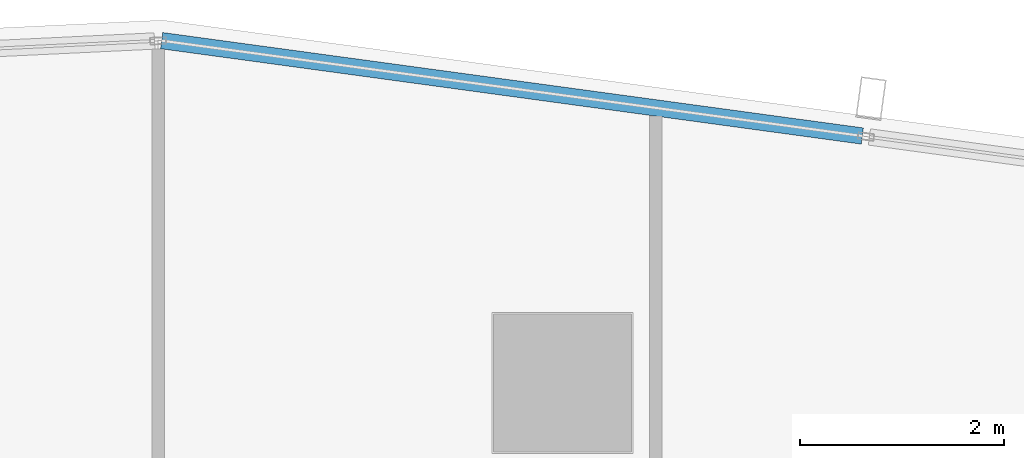
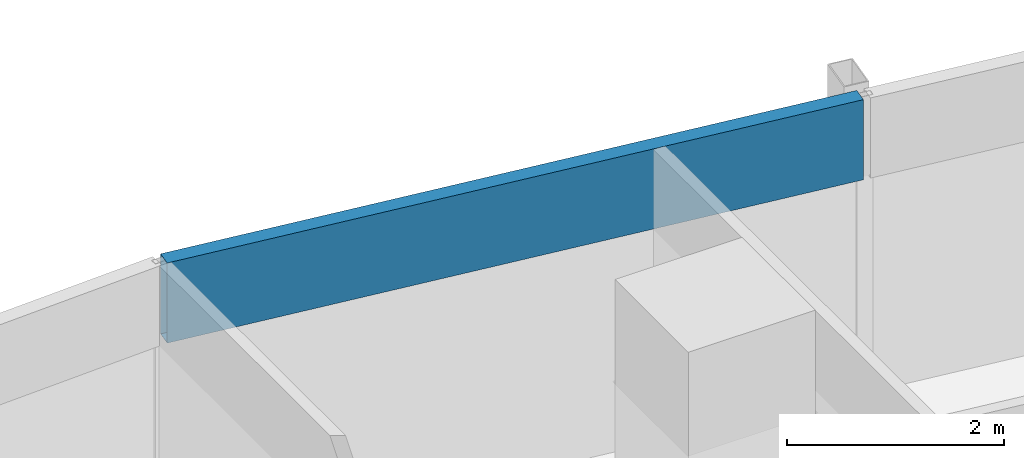
# One storey, part 22 of 38: 1 member, 1 element without a shape of its own.
"""IFC4 building model written with IfcOpenShell, lengths in metres."""

from ifc_helpers import new_model, si_unit, direction, frame, origin, origin_2d, place, context, subcontext, project, spatial, hollow_rectangle, extrude, material, material_profile, profile_set, type_object, element, aggregate, save


model = new_model("IFC4")

# Units and contexts
model_context = context("Model", 3, precision=1e-05, world=origin(), true_north=direction((0.0, 1.0)))
body_context = subcontext(model_context, "Body", "Model", "MODEL_VIEW")
ifc_project = project(units=[si_unit("LENGTHUNIT", "METRE"), si_unit("AREAUNIT", "SQUARE_METRE"), si_unit("VOLUMEUNIT", "CUBIC_METRE"), si_unit("PLANEANGLEUNIT", "RADIAN"), si_unit("MASSUNIT", "GRAM", prefix="KILO")], contexts=[model_context])

# Site, building, storey
site_placement = place(None, origin())
site = spatial("IfcSite", under=ifc_project, at=site_placement, CompositionType="ELEMENT")
building_placement = place(site_placement, origin())
building = spatial("IfcBuilding", under=site, at=building_placement, Name="Rekha Terrace Tower", CompositionType="ELEMENT")
storey_placement = place(building_placement, frame((0.0, 0.0, 195.199951171875)))
storey = spatial("IfcBuildingStorey", under=building, at=storey_placement, Name="L49", CompositionType="ELEMENT", Elevation=195.199951171875)

# Curtain wall, member
ifc_material_1 = material(Name="Aluminium framing", Category="aluminium")
curtain_wall_type = type_object("IfcCurtainWallType", Name="CW3 north unitised glazing", PredefinedType="USERDEFINED", material=ifc_material_1)
curtain_wall_placement = place(storey_placement, origin())
curtain_wall = element("IfcCurtainWall", 1, at=curtain_wall_placement, inside=storey, type_object=curtain_wall_type, Name="CW3 unitised curtain wall", ObjectType="UNITISED CURTAIN WALL", PredefinedType="USERDEFINED")
ifc_material_2 = material(Name="Insulated aluminium spandrel box", Category="aluminium")
ifc_material_profile = material_profile(ifc_material_2, hollow_rectangle(XDim=0.159912109375, YDim=0.89990234375, WallThickness=0.0029296875, at=origin_2d()), Name="AL SPANDREL BOX 160x900")
ifc_profile_set = profile_set([ifc_material_profile], Name="Insulated aluminium spandrel box")
member_type = type_object("IfcMemberType", Name="CW3 spandrel transom 160 x 900", PredefinedType="USERDEFINED", material=ifc_profile_set)
member_placement = place(storey_placement, frame((53.334716796875, 61.21630859375, 3.050048828125), z_axis=(-0.990863635349, 0.134867550367, 0.0), x_axis=(-0.134867550367, -0.990863635349, 0.0)))
member = element("IfcMember", 2, at=member_placement, type_object=member_type, Name="CW3 spandrel transom 2", ObjectType="TRANSOM", PredefinedType="USERDEFINED", context=body_context, shape_type="SweptSolid", body=[
    extrude(hollow_rectangle(XDim=0.159912109375, YDim=0.89990234375, WallThickness=0.0029296875, at=origin_2d()), origin(), (0.0, 0.0, 1.0), 6.918701171875),
])
aggregate(curtain_wall, [member])

save(model, "model.ifc")
